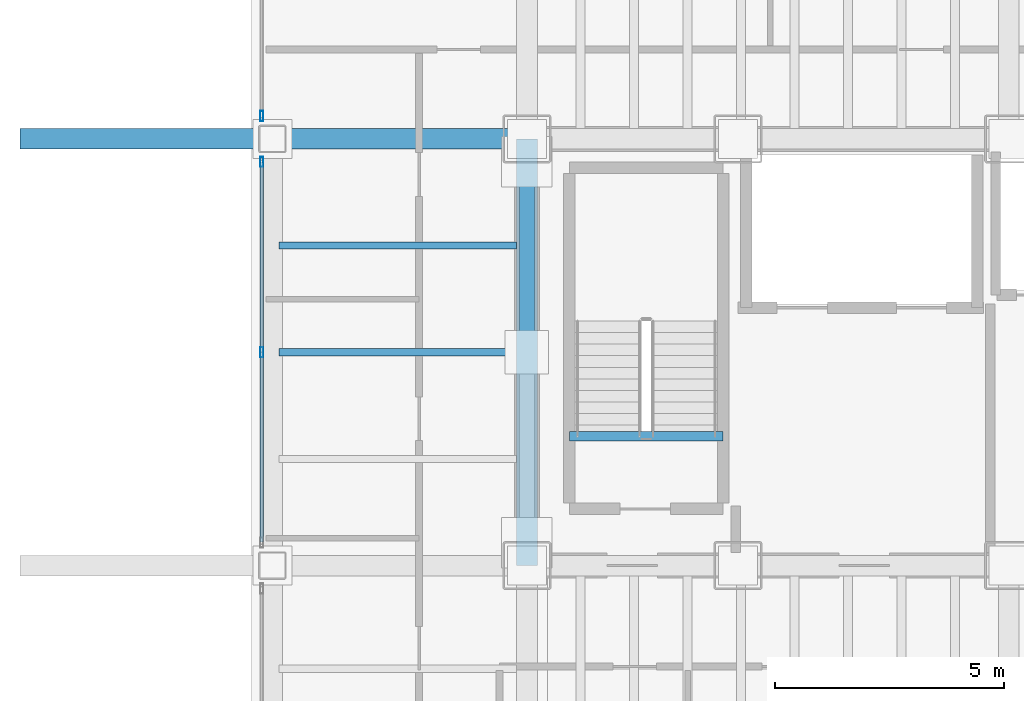
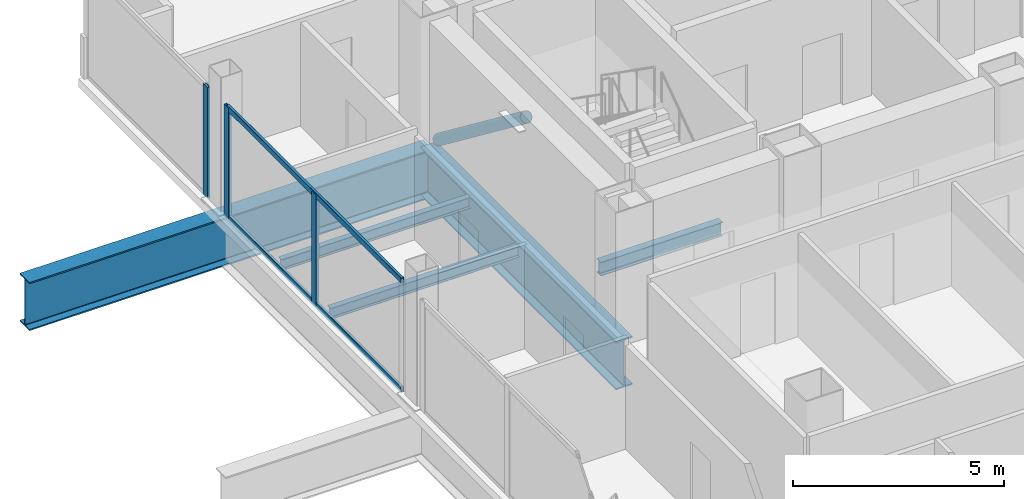
# One storey, part 8 of 23: 6 members, 5 beams, 2 elements without a shape of their own.
"""IFC4 building model written with IfcOpenShell, lengths in metres."""

from ifc_helpers import new_model, si_unit, direction, frame, origin, origin_2d, place, context, subcontext, project, spatial, hollow_rectangle, hollow_circle, i_section, extrude, material, material_profile, profile_set, type_object, element, aggregate, save


model = new_model("IFC4")

# Units and contexts
model_context = context("Model", 3, precision=1e-05, world=origin(), true_north=direction((0.0, 1.0)))
body_context = subcontext(model_context, "Body", "Model", "MODEL_VIEW")
ifc_project = project(units=[si_unit("LENGTHUNIT", "METRE"), si_unit("AREAUNIT", "SQUARE_METRE"), si_unit("VOLUMEUNIT", "CUBIC_METRE"), si_unit("PLANEANGLEUNIT", "RADIAN"), si_unit("MASSUNIT", "GRAM", prefix="KILO")], contexts=[model_context])

# Site, building, storey
site_placement = place(None, origin())
site = spatial("IfcSite", under=ifc_project, at=site_placement, CompositionType="ELEMENT")
building_placement = place(site_placement, origin())
building = spatial("IfcBuilding", under=site, at=building_placement, Name="Noeulbin Bourse Tower", CompositionType="ELEMENT")
storey_placement = place(building_placement, frame((0.0, 0.0, 53.800048828125)))
storey = spatial("IfcBuildingStorey", under=building, at=storey_placement, Name="L13", CompositionType="ELEMENT", Elevation=53.800048828125)

# Beams
ifc_material_1 = material(Name="Steel S355", Category="steel")
ifc_material_profile_1 = material_profile(ifc_material_1, i_section(OverallWidth=0.159912109375, OverallDepth=0.320068359375, WebThickness=0.006591796875, FlangeThickness=0.010009765625, FilletRadius=0.012939453125, at=origin_2d()), Name="H-320x160x6.5x10", Category="LoadBearing")
ifc_profile_set_1 = profile_set([ifc_material_profile_1], Name="Steel S355")
beam_type_1 = type_object("IfcBeamType", Name="BM-JST-320", PredefinedType="JOIST", material=ifc_profile_set_1)
for number, where, z_axis, x_axis, name in (
    (1, (8.10009765625, 33.64990234375, -0.400146484375), (1.0, 0.0, 0.0), (0.0, 1.0, 0.0), "Wing Composite Joist L13-W74"),
    (2, (8.10009765625, 35.97509765625, -0.400146484375), (1.0, 0.0, 0.0), (0.0, 1.0, 0.0), "Wing Composite Joist L13-W75"),
):
    element("IfcBeam", number, at=place(storey_placement, frame(where, z_axis=z_axis, x_axis=x_axis)), inside=storey, type_object=beam_type_1, Name=name, PredefinedType="JOIST", context=body_context, shape_type="SweptSolid", body=[
        extrude(i_section(OverallWidth=0.159912109375, OverallDepth=0.320068359375, WebThickness=0.006591796875, FlangeThickness=0.010009765625, FilletRadius=0.012939453125, at=origin_2d()), origin(), (0.0, 0.0, 1.0), 5.1748046875),
    ])
ifc_material_profile_2 = material_profile(ifc_material_1, i_section(OverallWidth=0.199951171875, OverallDepth=0.39990234375, WebThickness=0.008056640625, FlangeThickness=0.012939453125, FilletRadius=0.01611328125, at=origin_2d()), Name="H-400x200x8x13", Category="LoadBearing")
ifc_profile_set_2 = profile_set([ifc_material_profile_2], Name="Steel S355")
beam_type_2 = type_object("IfcBeamType", Name="BM-SEC-400", PredefinedType="BEAM", material=ifc_profile_set_2)
beam_1_placement = place(storey_placement, frame((14.429931640625, 31.820068359375, -0.199951171875), z_axis=(1.0, 0.0, 0.0), x_axis=(0.0, 1.0, 0.0)))
element("IfcBeam", 3, at=beam_1_placement, inside=storey, type_object=beam_type_2, Name="Stair Threshold Trimmer Beam ST1-L13", PredefinedType="BEAM", context=body_context, shape_type="SweptSolid", body=[
    extrude(i_section(OverallWidth=0.199951171875, OverallDepth=0.39990234375, WebThickness=0.008056640625, FlangeThickness=0.012939453125, FilletRadius=0.01611328125, at=origin_2d()), origin(), (0.0, 0.0, 1.0), 3.340087890625),
])
ifc_material_2 = material(Name="Steel S460", Category="steel")
ifc_material_profile_3 = material_profile(ifc_material_2, i_section(OverallWidth=0.449951171875, OverallDepth=1.39990234375, WebThickness=0.02392578125, FlangeThickness=0.0400390625, FilletRadius=0.02392578125, at=origin_2d()), Name="PG-1400x450x24x40", Category="LoadBearing")
ifc_profile_set_3 = profile_set([ifc_material_profile_3], Name="Steel S460")
beam_type_3 = type_object("IfcBeamType", Name="BM-TRF-1400", PredefinedType="USERDEFINED", material=ifc_profile_set_3)
beam_2_placement = place(storey_placement, frame((2.449951171875, 38.300048828125, -0.93994140625), z_axis=(1.0, 0.0, 0.0), x_axis=(0.0, 1.0, 0.0)))
element("IfcBeam", 4, at=beam_2_placement, inside=storey, type_object=beam_type_3, Name="Tower Primary Girder EW L13-3.1", ObjectType="GIRDER", PredefinedType="USERDEFINED", context=body_context, shape_type="SweptSolid", body=[
    extrude(i_section(OverallWidth=0.449951171875, OverallDepth=1.39990234375, WebThickness=0.02392578125, FlangeThickness=0.0400390625, FilletRadius=0.02392578125, at=origin_2d()), origin(), (0.0, 0.0, 1.0), 11.050048828125),
])
beam_3_placement = place(storey_placement, frame((13.5, 29.0, -0.93994140625), z_axis=(0.0, 1.0, 0.0), x_axis=(-1.0, 0.0, 0.0)))
element("IfcBeam", 5, at=beam_3_placement, inside=storey, type_object=beam_type_3, Name="Tower Primary Girder NS L13-1.3", ObjectType="GIRDER", PredefinedType="USERDEFINED", context=body_context, shape_type="SweptSolid", body=[
    extrude(i_section(OverallWidth=0.449951171875, OverallDepth=1.39990234375, WebThickness=0.02392578125, FlangeThickness=0.0400390625, FilletRadius=0.02392578125, at=origin_2d()), origin(), (0.0, 0.0, 1.0), 9.300048828125),
])

# Curtain wall, members
ifc_material_3 = material(Name="Dark Solar-Control Double Glazing", Category="glass")
curtain_wall_type = type_object("IfcCurtainWallType", Name="CW-SYS-2", PredefinedType="NOTDEFINED", material=ifc_material_3)
curtain_wall_1_placement = place(storey_placement, origin())
curtain_wall_1 = element("IfcCurtainWall", 6, at=curtain_wall_1_placement, inside=storey, type_object=curtain_wall_type, Name="Unitised Curtain Wall CW-L13-W-S3", PredefinedType="NOTDEFINED")
ifc_material_4 = material(Name="Anodised Aluminium 6063-T6", Category="aluminium")
ifc_material_profile_4 = material_profile(ifc_material_4, hollow_rectangle(XDim=0.074951171875, YDim=0.219970703125, WallThickness=0.0048828125, InnerFilletRadius=0.00244140625, OuterFilletRadius=0.0048828125, at=origin_2d()), Name="ALU-MULL-75x220x5", Category="LoadBearing")
ifc_profile_set_4 = profile_set([ifc_material_profile_4], Name="Anodised Aluminium 6063-T6")
member_type_1 = type_object("IfcMemberType", Name="CW-SYS-2-MUL", PredefinedType="MULLION", material=ifc_profile_set_4)
member_1_placement = place(storey_placement, frame((7.719970703125, 33.64990234375, -0.02001953125), z_axis=(0.0, 0.0, 1.0), x_axis=(1.0, 0.0, 0.0)))
member_1 = element("IfcMember", 7, at=member_1_placement, type_object=member_type_1, Name="Curtain Wall Mullion CW-L13-W-S3-M01", PredefinedType="MULLION", context=body_context, shape_type="SweptSolid", body=[
    extrude(hollow_rectangle(XDim=0.074951171875, YDim=0.219970703125, WallThickness=0.0048828125, InnerFilletRadius=0.00244140625, OuterFilletRadius=0.0048828125, at=origin_2d()), origin(), (0.0, 0.0, 1.0), 3.219970703125),
])
member_2_placement = place(storey_placement, frame((7.719970703125, 37.800048828125, -0.02001953125), z_axis=(0.0, 0.0, 1.0), x_axis=(1.0, 0.0, 0.0)))
member_2 = element("IfcMember", 8, at=member_2_placement, type_object=member_type_1, Name="Curtain Wall Mullion CW-L13-W-S3-M02", PredefinedType="MULLION", context=body_context, shape_type="SweptSolid", body=[
    extrude(hollow_rectangle(XDim=0.074951171875, YDim=0.219970703125, WallThickness=0.0048828125, InnerFilletRadius=0.00244140625, OuterFilletRadius=0.0048828125, at=origin_2d()), origin(), (0.0, 0.0, 1.0), 3.219970703125),
])

# Curtain wall, member
curtain_wall_2_placement = place(storey_placement, origin())
curtain_wall_2 = element("IfcCurtainWall", 9, at=curtain_wall_2_placement, inside=storey, type_object=curtain_wall_type, Name="Unitised Curtain Wall CW-L13-W-S4", PredefinedType="NOTDEFINED")
member_3_placement = place(storey_placement, frame((7.719970703125, 38.800048828125, -0.02001953125), z_axis=(0.0, 0.0, 1.0), x_axis=(1.0, 0.0, 0.0)))
member_3 = element("IfcMember", 10, at=member_3_placement, type_object=member_type_1, Name="Curtain Wall Mullion CW-L13-W-S4-M00", PredefinedType="MULLION", context=body_context, shape_type="SweptSolid", body=[
    extrude(hollow_rectangle(XDim=0.074951171875, YDim=0.219970703125, WallThickness=0.0048828125, InnerFilletRadius=0.00244140625, OuterFilletRadius=0.0048828125, at=origin_2d()), origin(), (0.0, 0.0, 1.0), 3.219970703125),
])
aggregate(curtain_wall_2, [member_3])

# Member
ifc_material_profile_5 = material_profile(ifc_material_4, hollow_rectangle(XDim=0.074951171875, YDim=0.159912109375, WallThickness=0.0048828125, InnerFilletRadius=0.00244140625, OuterFilletRadius=0.0048828125, at=origin_2d()), Name="ALU-TRAN-75x160x5", Category="LoadBearing")
ifc_profile_set_5 = profile_set([ifc_material_profile_5], Name="Anodised Aluminium 6063-T6")
member_type_2 = type_object("IfcMemberType", Name="CW-SYS-2-TRN", PredefinedType="USERDEFINED", material=ifc_profile_set_5)
member_4_placement = place(storey_placement, frame((7.719970703125, 29.510009765625, 0.010009765625), z_axis=(0.0, 1.0, 0.0), x_axis=(-1.0, 0.0, 0.0)))
member_4 = element("IfcMember", 11, at=member_4_placement, type_object=member_type_2, Name="Curtain Wall Transom CW-L13-W-S3-T00", ObjectType="TRANSOM", PredefinedType="USERDEFINED", context=body_context, shape_type="SweptSolid", body=[
    extrude(hollow_rectangle(XDim=0.074951171875, YDim=0.159912109375, WallThickness=0.0048828125, InnerFilletRadius=0.00244140625, OuterFilletRadius=0.0048828125, at=origin_2d()), origin(), (0.0, 0.0, 1.0), 8.280029296875),
])

member_5_placement = place(storey_placement, frame((7.719970703125, 29.510009765625, 3.169921875), z_axis=(0.0, 1.0, 0.0), x_axis=(-1.0, 0.0, 0.0)))
member_5 = element("IfcMember", 12, at=member_5_placement, type_object=member_type_2, Name="Curtain Wall Transom CW-L13-W-S3-T01", ObjectType="TRANSOM", PredefinedType="USERDEFINED", context=body_context, shape_type="SweptSolid", body=[
    extrude(hollow_rectangle(XDim=0.074951171875, YDim=0.159912109375, WallThickness=0.0048828125, InnerFilletRadius=0.00244140625, OuterFilletRadius=0.0048828125, at=origin_2d()), origin(), (0.0, 0.0, 1.0), 8.280029296875),
])

aggregate(curtain_wall_1, [member_1, member_2, member_4, member_5])

ifc_material_profile_6 = material_profile(ifc_material_1, hollow_circle(Radius=0.1591796875, WallThickness=0.01025390625, at=origin_2d()), Name="CHS-318.5x10.3", Category="LoadBearing")
ifc_profile_set_6 = profile_set([ifc_material_profile_6], Name="Steel S355")
member_type_3 = type_object("IfcMemberType", Name="MEM-EXO-318", PredefinedType="BRACE", material=ifc_profile_set_6)
member_6_placement = place(storey_placement, frame((13.5, 33.64990234375, 3.369873046875), z_axis=(0.0, 0.794701388985, -0.607000578538), x_axis=(-1.0, 0.0, 0.0)))
element("IfcMember", 13, at=member_6_placement, inside=storey, type_object=member_type_3, Name="Core Flank Chevron Brace XT-L13-W2", PredefinedType="BRACE", context=body_context, shape_type="SweptSolid", body=[
    extrude(hollow_circle(Radius=0.1591796875, WallThickness=0.01025390625, at=origin_2d()), origin(), (0.0, 0.0, 1.0), 5.22216796875),
])

save(model, "model.ifc")
